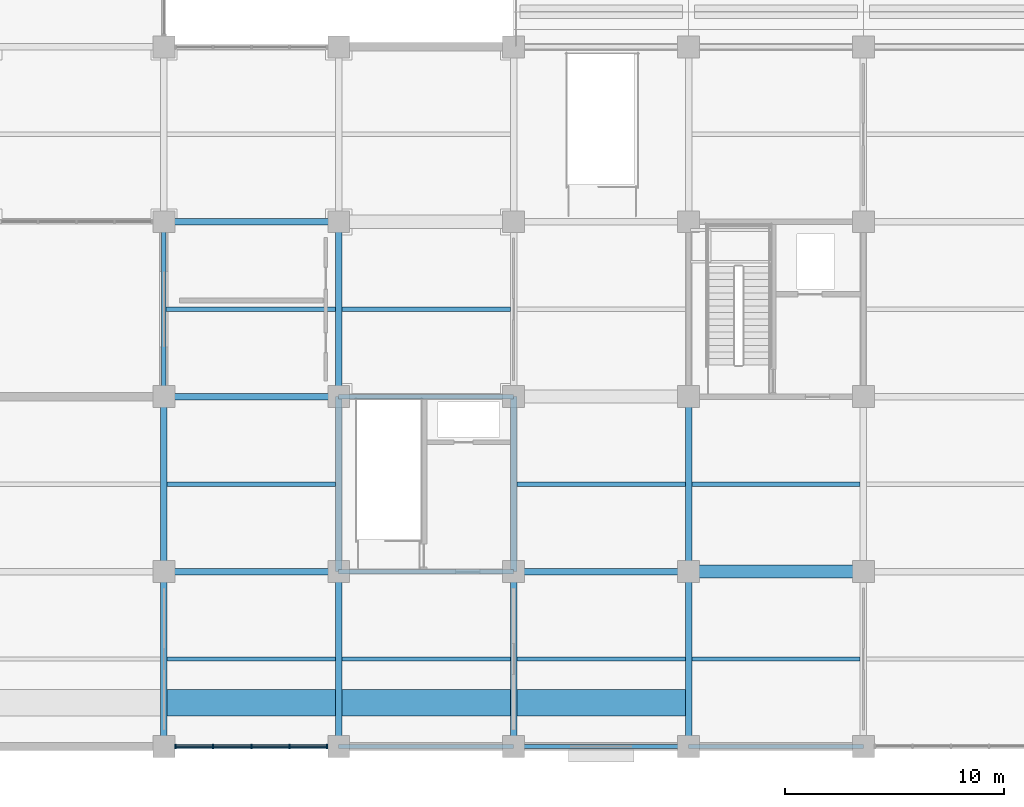
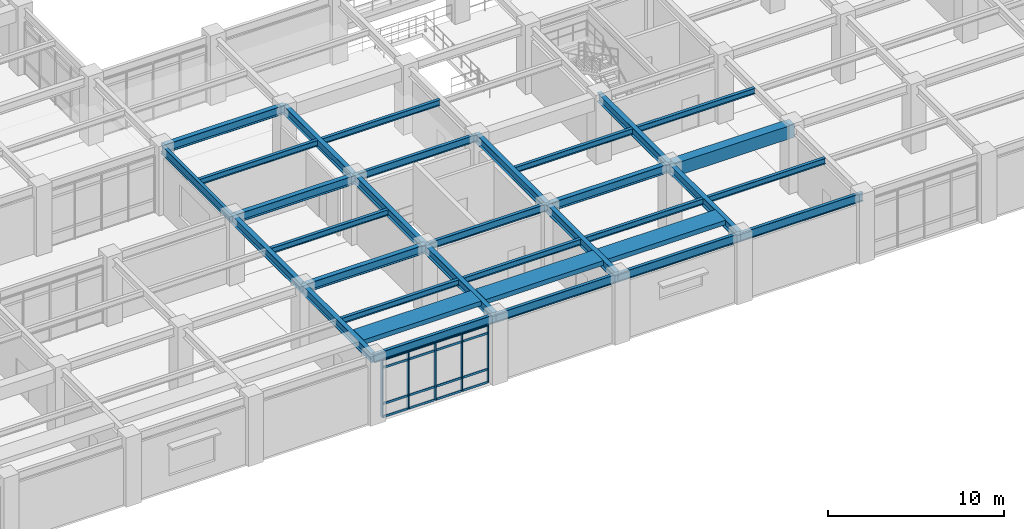
# One storey, part 13 of 117: 33 beams, 21 members, 1 element without a shape of its own.
"""IFC4 building model written with IfcOpenShell, lengths in metres."""

import ifcopenshell
import ifcopenshell.guid

model = None  # the IFC model being written
_history = None  # IfcOwnerHistory: only IFC2X3 demands one
_inside = {}  # id of a spatial element -> (the spatial element, [elements in it])
_under = {}  # id of a project, library or spatial element -> (it, [spatial elements below it])
_declared = {}  # id of a project -> (the project, [libraries it declares])
_typed = {}  # id of a type object -> (the type object, [elements of that type])
_made_of = {}  # id of a material, layer set ... -> (it, [elements and type objects made of it])


def new_model(schema):
    """Start an empty IFC model of exactly this schema.

    Asked for "IFC4X3", IfcOpenShell would pick the latest addendum, in which some entities
    have other attributes; the version numbers below select the first issue.
    IFC2X3 requires an IfcOwnerHistory on every rooted entity: one is made here for all.
    """
    global model, _history
    if schema == "IFC4X3":
        model = ifcopenshell.file(schema_version=(4, 3, 0, 0))
    else:
        model = ifcopenshell.file(schema=schema)
    _inside.clear()
    _under.clear()
    _declared.clear()
    _typed.clear()
    _made_of.clear()
    _history = None
    if model.schema == "IFC2X3":
        org = make("IfcOrganization", Name="unknown")
        user = make(
            "IfcPersonAndOrganization",
            ThePerson=make("IfcPerson", FamilyName="unknown"),
            TheOrganization=org,
        )
        app = make(
            "IfcApplication",
            ApplicationDeveloper=org,
            Version="unknown",
            ApplicationFullName="unknown",
            ApplicationIdentifier="unknown",
        )
        _history = make(
            "IfcOwnerHistory",
            OwningUser=user,
            OwningApplication=app,
            ChangeAction="ADDED",
            CreationDate=0,
        )
    return model


def make(cls, **values):
    """One entity of the class cls with the attributes given. An attribute that is None is left unset."""
    return model.create_entity(
        cls, **{name: value for name, value in values.items() if value is not None}
    )


def rooted(cls, **values):
    """An entity with a GlobalId (a new one), such as an element, a storey or a relation."""
    return make(cls, GlobalId=ifcopenshell.guid.new(), OwnerHistory=_history, **values)


def si_unit(unit_type, name, prefix=None):
    """IfcSIUnit, for example si_unit("LENGTHUNIT", "METRE", prefix="MILLI")."""
    return make("IfcSIUnit", UnitType=unit_type, Prefix=prefix, Name=name)


def assignment(units):
    """IfcUnitAssignment: the units of a project."""
    return None if units is None else make("IfcUnitAssignment", Units=units)


def point(xyz):
    """IfcCartesianPoint."""
    return None if xyz is None else make("IfcCartesianPoint", Coordinates=xyz)


def direction(xyz):
    """IfcDirection."""
    return None if xyz is None else make("IfcDirection", DirectionRatios=xyz)


def frame(location, z_axis=None, x_axis=None):
    """IfcAxis2Placement3D, a coordinate frame: its origin and axes. An axis left out is left unset."""
    return make(
        "IfcAxis2Placement3D",
        Location=point(location),
        Axis=direction(z_axis),
        RefDirection=direction(x_axis),
    )


def frame_2d(location, x_axis=None):
    """IfcAxis2Placement2D, a coordinate frame in the plane: its origin and x axis."""
    return make(
        "IfcAxis2Placement2D", Location=point(location), RefDirection=direction(x_axis)
    )


def origin():
    """The frame at (0, 0, 0) with its axes left unset."""
    return frame((0.0, 0.0, 0.0))


def origin_2d():
    """The frame at (0, 0) in the plane with its x axis left unset."""
    return frame_2d((0.0, 0.0))


def place(relative_to, where):
    """IfcLocalPlacement: puts the frame where relative to a parent placement (None: the world)."""
    return make(
        "IfcLocalPlacement", PlacementRelTo=relative_to, RelativePlacement=where
    )


def context(
    kind, dimensions, precision=None, world=None, true_north=None, identifier=None
):
    """IfcGeometricRepresentationContext, for example the 3D "Model" context."""
    return make(
        "IfcGeometricRepresentationContext",
        ContextIdentifier=identifier,
        ContextType=kind,
        CoordinateSpaceDimension=dimensions,
        Precision=precision,
        WorldCoordinateSystem=world,
        TrueNorth=true_north,
    )


def subcontext(parent, identifier, kind, view, scale=None):
    """IfcGeometricRepresentationSubContext, for example "Body" below "Model"."""
    return make(
        "IfcGeometricRepresentationSubContext",
        ContextIdentifier=identifier,
        ContextType=kind,
        ParentContext=parent,
        TargetScale=scale,
        TargetView=view,
    )


def project(units=None, contexts=None):
    """IfcProject with its units and contexts."""
    return rooted(
        "IfcProject",
        Name="project",
        RepresentationContexts=contexts,
        UnitsInContext=assignment(units),
    )


def spatial(cls, under=None, at=None, **own):
    """A site, building, storey or space (cls), placed at a placement, below another one or the project."""
    s = rooted(cls, ObjectPlacement=at, **own)
    if under is not None:
        _under.setdefault(under.id(), (under, []))[1].append(s)
    return s


def profile(cls, at=None, kind="AREA", **sizes):
    """A parametric profile (cls). Its sizes go by their IFC names, for example OverallWidth=200.0."""
    return make(cls, ProfileType=kind, Position=at, **sizes)


def rectangle(**sizes):
    """IfcRectangleProfileDef."""
    return profile("IfcRectangleProfileDef", **sizes)


def i_section(**sizes):
    """IfcIShapeProfileDef."""
    return profile("IfcIShapeProfileDef", **sizes)


def extrude(swept, where, along, depth):
    """IfcExtrudedAreaSolid: the profile swept, set in the frame where, extruded along a direction by depth."""
    return make(
        "IfcExtrudedAreaSolid",
        SweptArea=swept,
        Position=where,
        ExtrudedDirection=direction(along),
        Depth=depth,
    )


def shape(context_of_items, identifier, shape_type, items):
    """IfcShapeRepresentation: the items that make up one representation, for example the "Body"."""
    return make(
        "IfcShapeRepresentation",
        ContextOfItems=context_of_items,
        RepresentationIdentifier=identifier,
        RepresentationType=shape_type,
        Items=items,
    )


def material(Name=None, Category=None):
    """IfcMaterial."""
    return make("IfcMaterial", Name=Name, Category=Category)


def layer(
    of_material, thickness, ventilated=None, Name=None, Category=None, Priority=None
):
    """IfcMaterialLayer: one layer of a wall or slab, of a material (None: an air gap)."""
    return make(
        "IfcMaterialLayer",
        Material=of_material,
        LayerThickness=thickness,
        IsVentilated=ventilated,
        Name=Name,
        Category=Category,
        Priority=Priority,
    )


def layer_set(layers, Name=None):
    """IfcMaterialLayerSet."""
    return make("IfcMaterialLayerSet", MaterialLayers=layers, LayerSetName=Name)


def material_profile(
    of_material, cross_section, Name=None, Category=None, Priority=None
):
    """IfcMaterialProfile: a cross section and its material."""
    return make(
        "IfcMaterialProfile",
        Name=Name,
        Material=of_material,
        Profile=cross_section,
        Priority=Priority,
        Category=Category,
    )


def profile_set(profiles, Name=None, composite=None):
    """IfcMaterialProfileSet."""
    return make(
        "IfcMaterialProfileSet",
        Name=Name,
        MaterialProfiles=profiles,
        CompositeProfile=composite,
    )


def made_of(thing, what):
    """Note that an element or type object is made of a material, layer set ...; save() writes the relation."""
    if what is not None:
        _made_of.setdefault(what.id(), (what, []))[1].append(thing)
    return thing


def type_object(cls, material=None, **own):
    """A type object (cls), such as IfcWallType, which elements share."""
    return made_of(rooted(cls, **own), material)


def element(
    cls,
    number,
    at=None,
    inside=None,
    cuts=None,
    type_object=None,
    material=None,
    context=None,
    identifier="Body",
    shape_type=None,
    held_by="IfcProductDefinitionShape",
    body=None,
    shapes=None,
    **own,
):
    """One element of the class cls, such as IfcWall. Its Tag is "e" and its number.

    at: its placement. inside: the storey or other place that contains it. cuts: it is an
    opening in that element (IfcRelVoidsElement). A single representation is given by context,
    identifier, shape_type and body (its items); several are given by shapes. held_by: the class
    of the entity that holds the representations. save() writes the other relations.
    """
    e = rooted(cls, Tag="e%d" % number, ObjectPlacement=at, **own)
    if body is not None:
        shapes = [shape(context, identifier, shape_type, body)]
    if shapes is not None:
        e.Representation = make(held_by, Representations=shapes)
    if inside is not None:
        _inside.setdefault(inside.id(), (inside, []))[1].append(e)
    if cuts is not None:
        rooted(
            "IfcRelVoidsElement", RelatingBuildingElement=cuts, RelatedOpeningElement=e
        )
    if type_object is not None:
        _typed.setdefault(type_object.id(), (type_object, []))[1].append(e)
    return made_of(e, material)


def aggregate(whole, parts):
    """IfcRelAggregates: a whole, such as a stair, and the parts it consists of."""
    return rooted("IfcRelAggregates", RelatingObject=whole, RelatedObjects=parts)


def save(model, path):
    """Write the relations noted so far, then the file.

    IfcRelAggregates (storeys below a building ...), IfcRelContainedInSpatialStructure (elements
    in a storey), IfcRelDefinesByType, IfcRelAssociatesMaterial and IfcRelDeclares: one each for
    every whole, place, type object, material and project.
    """
    for whole, parts in _under.values():
        aggregate(whole, parts)
    for where, things in _inside.values():
        rooted(
            "IfcRelContainedInSpatialStructure",
            RelatedElements=things,
            RelatingStructure=where,
        )
    for kind, things in _typed.values():
        rooted("IfcRelDefinesByType", RelatedObjects=things, RelatingType=kind)
    for what, things in _made_of.values():
        rooted("IfcRelAssociatesMaterial", RelatedObjects=things, RelatingMaterial=what)
    for by, libraries in _declared.values():
        rooted("IfcRelDeclares", RelatingContext=by, RelatedDefinitions=libraries)
    model.write(path)


model = new_model("IFC4")

# Units and contexts
model_context = context("Model", 3, precision=1e-05, world=origin(), true_north=direction((0.0, 1.0)))
body_context = subcontext(model_context, "Body", "Model", "MODEL_VIEW")
ifc_project = project(units=[si_unit("LENGTHUNIT", "METRE"), si_unit("AREAUNIT", "SQUARE_METRE"), si_unit("VOLUMEUNIT", "CUBIC_METRE"), si_unit("PLANEANGLEUNIT", "RADIAN"), si_unit("MASSUNIT", "GRAM", prefix="KILO")], contexts=[model_context])

# Site, building, storey
site_placement = place(None, origin())
site = spatial("IfcSite", under=ifc_project, at=site_placement, CompositionType="ELEMENT")
building_placement = place(site_placement, origin())
building = spatial("IfcBuilding", under=site, at=building_placement, Name="Haebicheon Civic Stadium", CompositionType="ELEMENT")
storey_placement = place(building_placement, frame((0.0, 0.0, 4.800048828125)))
storey = spatial("IfcBuildingStorey", under=building, at=storey_placement, Name="L02", CompositionType="ELEMENT", Elevation=4.800048828125)

# Beams
ifc_material_1 = material(Name="Precast concrete C40/50", Category="concrete")
ifc_material_profile_1 = material_profile(ifc_material_1, rectangle(XDim=1.199951171875, YDim=0.320068359375, at=origin_2d()), Name="PC-HB-1200x320")
ifc_profile_set_1 = profile_set([ifc_material_profile_1], Name="Precast concrete C40/50")
beam_type_1 = type_object("IfcBeamType", Name="BM-HB-1200x320", PredefinedType="HOLLOWCORE", material=ifc_profile_set_1)
for number, where, z_axis, x_axis, name in (
    (1, (64.14990234375, 2.0, 4.449951171875), (1.0, 0.0, 0.0), (0.0, 1.0, 0.0), "Precast hollowcore rib 4"),
    (2, (72.14990234375, 2.0, 4.449951171875), (1.0, 0.0, 0.0), (0.0, 1.0, 0.0), "Precast hollowcore rib 5"),
    (3, (80.14990234375, 2.0, 4.449951171875), (1.0, 0.0, 0.0), (0.0, 1.0, 0.0), "Precast hollowcore rib 6"),
):
    element("IfcBeam", number, at=place(storey_placement, frame(where, z_axis=z_axis, x_axis=x_axis)), inside=storey, type_object=beam_type_1, material=ifc_profile_set_1, Name=name, PredefinedType="HOLLOWCORE", context=body_context, shape_type="SweptSolid", body=[
        extrude(rectangle(XDim=1.199951171875, YDim=0.320068359375, at=origin_2d()), origin(), (0.0, 0.0, 1.0), 7.7001953125),
    ])
ifc_material_2 = material(Name="Concrete C40/50", Category="concrete")
ifc_material_profile_2 = material_profile(ifc_material_2, rectangle(XDim=0.60009765625, YDim=0.89990234375, at=origin_2d()), Name="RC-BM-600x900")
ifc_profile_set_2 = profile_set([ifc_material_profile_2], Name="Concrete C40/50")
beam_type_2 = type_object("IfcBeamType", Name="BM-RC-600x900", PredefinedType="BEAM", material=ifc_profile_set_2)
beam_1_placement = place(storey_placement, frame((88.0, 8.0, 4.1298828125), z_axis=(1.0, 0.0, 0.0), x_axis=(0.0, 1.0, 0.0)))
element("IfcBeam", 4, at=beam_1_placement, inside=storey, type_object=beam_type_2, material=ifc_profile_set_2, Name="L02 beam B/12-13", PredefinedType="BEAM", context=body_context, shape_type="SweptSolid", body=[
    extrude(rectangle(XDim=0.60009765625, YDim=0.89990234375, at=origin_2d()), origin(), (0.0, 0.0, 1.0), 8.0),
])
ifc_material_3 = material(Name="Steel SM355 (S355)", Category="steel")
ifc_material_profile_3 = material_profile(ifc_material_3, i_section(OverallWidth=0.199951171875, OverallDepth=0.5, WebThickness=0.010009765625, FlangeThickness=0.01611328125, at=origin_2d()), Name="H-500x200x10x16")
ifc_profile_set_3 = profile_set([ifc_material_profile_3], Name="Steel SM355 (S355)")
beam_type_3 = type_object("IfcBeamType", Name="BM-ST-H500", PredefinedType="BEAM", material=ifc_profile_set_3)
for number, where, z_axis, x_axis, name in (
    (5, (72.0, 8.0, 4.329833984375), (1.0, 0.0, 0.0), (0.0, 1.0, 0.0), "L02 beam B/10-11"),
    (6, (72.0, 16.0, 4.27001953125), (1.0, 0.0, 0.0), (0.0, 1.0, 0.0), "L02 beam C/10-11"),
):
    element("IfcBeam", number, at=place(storey_placement, frame(where, z_axis=z_axis, x_axis=x_axis)), inside=storey, type_object=beam_type_3, material=ifc_profile_set_3, Name=name, PredefinedType="BEAM", context=body_context, shape_type="SweptSolid", body=[
        extrude(i_section(OverallWidth=0.199951171875, OverallDepth=0.5, WebThickness=0.010009765625, FlangeThickness=0.01611328125, at=origin_2d()), origin(), (0.0, 0.0, 1.0), 8.0),
    ])
ifc_material_4 = material(Name="Steel SM355 (S355)", Category="steel")
ifc_material_profile_4 = material_profile(ifc_material_4, i_section(OverallWidth=0.300048828125, OverallDepth=0.60009765625, WebThickness=0.011962890625, FlangeThickness=0.02001953125, at=origin_2d()), Name="H-600x300x12x20")
ifc_profile_set_4 = profile_set([ifc_material_profile_4], Name="Steel SM355 (S355)")
beam_type_4 = type_object("IfcBeamType", Name="BM-ST-H600A", PredefinedType="BEAM", material=ifc_profile_set_4)
for number, where, z_axis, x_axis, name in (
    (7, (64.0, 0.0, 4.280029296875), (0.0, 1.0, 0.0), (-1.0, 0.0, 0.0), "L02 girder 9/A-B"),
    (8, (64.0, 8.0, 4.280029296875), (0.0, 1.0, 0.0), (-1.0, 0.0, 0.0), "L02 girder 9/B-C"),
    (9, (72.0, 0.0, 4.280029296875), (0.0, 1.0, 0.0), (-1.0, 0.0, 0.0), "L02 girder 10/A-B"),
    (10, (72.0, 8.0, 4.280029296875), (0.0, 1.0, 0.0), (-1.0, 0.0, 0.0), "L02 girder 10/B-C"),
    (11, (72.0, 16.0, 4.219970703125), (0.0, 1.0, 0.0), (-1.0, 0.0, 0.0), "L02 girder 10/C-D"),
    (12, (80.0, 0.0, 4.280029296875), (0.0, 1.0, 0.0), (-1.0, 0.0, 0.0), "L02 girder 11/A-B"),
    (13, (80.0, 8.0, 4.280029296875), (0.0, 1.0, 0.0), (-1.0, 0.0, 0.0), "L02 girder 11/B-C"),
    (14, (88.0, 0.0, 4.280029296875), (0.0, 1.0, 0.0), (-1.0, 0.0, 0.0), "L02 girder 12/A-B"),
    (15, (88.0, 8.0, 4.280029296875), (0.0, 1.0, 0.0), (-1.0, 0.0, 0.0), "L02 girder 12/B-C"),
    (16, (64.0, 8.0, 4.280029296875), (1.0, 0.0, 0.0), (0.0, 1.0, 0.0), "L02 beam B/9-10"),
    (17, (64.0, 16.0, 4.219970703125), (1.0, 0.0, 0.0), (0.0, 1.0, 0.0), "L02 beam C/9-10"),
    (18, (64.0, 24.0, 4.219970703125), (1.0, 0.0, 0.0), (0.0, 1.0, 0.0), "L02 beam D/9-10"),
    (19, (80.0, 8.0, 4.280029296875), (1.0, 0.0, 0.0), (0.0, 1.0, 0.0), "L02 beam B/11-12"),
):
    element("IfcBeam", number, at=place(storey_placement, frame(where, z_axis=z_axis, x_axis=x_axis)), inside=storey, type_object=beam_type_4, material=ifc_profile_set_4, Name=name, PredefinedType="BEAM", context=body_context, shape_type="SweptSolid", body=[
        extrude(i_section(OverallWidth=0.300048828125, OverallDepth=0.60009765625, WebThickness=0.011962890625, FlangeThickness=0.02001953125, at=origin_2d()), origin(), (0.0, 0.0, 1.0), 8.0),
    ])

# Curtain wall, members
ifc_material_5 = material(Name="Anodised aluminium and laminated glass", Category="aluminium")
ifc_layer = layer(ifc_material_5, 0.179931640625, Name="Anodised aluminium and laminated glass")
ifc_layer_set = layer_set([ifc_layer], Name="Anodised aluminium and laminated glass")
curtain_wall_type = type_object("IfcCurtainWallType", Name="CW-7000x3950", PredefinedType="NOTDEFINED", material=ifc_layer_set)
curtain_wall_placement = place(storey_placement, origin())
curtain_wall = element("IfcCurtainWall", 20, at=curtain_wall_placement, inside=storey, type_object=curtain_wall_type, material=ifc_layer_set, Name="L02 unitised curtain wall 044", PredefinedType="NOTDEFINED")
ifc_material_6 = material(Name="Anodised aluminium 6063-T6", Category="aluminium")
ifc_material_profile_5 = material_profile(ifc_material_6, rectangle(XDim=0.070068359375, YDim=0.199951171875, at=origin_2d()), Name="ALU-MULL-70x200")
ifc_profile_set_5 = profile_set([ifc_material_profile_5], Name="Anodised aluminium 6063-T6")
member_type_1 = type_object("IfcMemberType", Name="CWM-200x70", PredefinedType="MULLION", material=ifc_profile_set_5)
member_1_placement = place(storey_placement, frame((64.534912109375, 0.0, 0.0), z_axis=(0.0, 0.0, 1.0), x_axis=(1.0, 0.0, 0.0)))
member_1 = element("IfcMember", 21, at=member_1_placement, type_object=member_type_1, material=ifc_profile_set_5, Name="CW-L02-044 vertical mullion 1", PredefinedType="MULLION", context=body_context, shape_type="SweptSolid", body=[
    extrude(rectangle(XDim=0.070068359375, YDim=0.199951171875, at=origin_2d()), origin(), (0.0, 0.0, 1.0), 3.949951171875),
])
member_2_placement = place(storey_placement, frame((66.25, 0.0, 0.0), z_axis=(0.0, 0.0, 1.0), x_axis=(1.0, 0.0, 0.0)))
member_2 = element("IfcMember", 22, at=member_2_placement, type_object=member_type_1, material=ifc_profile_set_5, Name="CW-L02-044 vertical mullion 2", PredefinedType="MULLION", context=body_context, shape_type="SweptSolid", body=[
    extrude(rectangle(XDim=0.070068359375, YDim=0.199951171875, at=origin_2d()), origin(), (0.0, 0.0, 1.0), 3.949951171875),
])
member_3_placement = place(storey_placement, frame((68.0, 0.0, 0.0), z_axis=(0.0, 0.0, 1.0), x_axis=(1.0, 0.0, 0.0)))
member_3 = element("IfcMember", 23, at=member_3_placement, type_object=member_type_1, material=ifc_profile_set_5, Name="CW-L02-044 vertical mullion 3", PredefinedType="MULLION", context=body_context, shape_type="SweptSolid", body=[
    extrude(rectangle(XDim=0.070068359375, YDim=0.199951171875, at=origin_2d()), origin(), (0.0, 0.0, 1.0), 3.949951171875),
])
member_4_placement = place(storey_placement, frame((69.75, 0.0, 0.0), z_axis=(0.0, 0.0, 1.0), x_axis=(1.0, 0.0, 0.0)))
member_4 = element("IfcMember", 24, at=member_4_placement, type_object=member_type_1, material=ifc_profile_set_5, Name="CW-L02-044 vertical mullion 4", PredefinedType="MULLION", context=body_context, shape_type="SweptSolid", body=[
    extrude(rectangle(XDim=0.070068359375, YDim=0.199951171875, at=origin_2d()), origin(), (0.0, 0.0, 1.0), 3.949951171875),
])
member_5_placement = place(storey_placement, frame((71.465087890625, 0.0, 0.0), z_axis=(0.0, 0.0, 1.0), x_axis=(1.0, 0.0, 0.0)))
member_5 = element("IfcMember", 25, at=member_5_placement, type_object=member_type_1, material=ifc_profile_set_5, Name="CW-L02-044 vertical mullion 5", PredefinedType="MULLION", context=body_context, shape_type="SweptSolid", body=[
    extrude(rectangle(XDim=0.070068359375, YDim=0.199951171875, at=origin_2d()), origin(), (0.0, 0.0, 1.0), 3.949951171875),
])
ifc_material_7 = material(Name="Anodised aluminium 6063-T6", Category="aluminium")
ifc_material_profile_6 = material_profile(ifc_material_7, rectangle(XDim=0.070068359375, YDim=0.14990234375, at=origin_2d()), Name="ALU-TRAN-70x150")
ifc_profile_set_6 = profile_set([ifc_material_profile_6], Name="Anodised aluminium 6063-T6")
member_type_2 = type_object("IfcMemberType", Name="CWT-150x70", PredefinedType="NOTDEFINED", material=ifc_profile_set_6)
member_6_placement = place(storey_placement, frame((64.570068359375, 0.0, 0.0), z_axis=(1.0, 0.0, 0.0), x_axis=(0.0, 1.0, 0.0)))
member_6 = element("IfcMember", 26, at=member_6_placement, type_object=member_type_2, material=ifc_profile_set_6, Name="CW-L02-044 horizontal transom 1.1", ObjectType="TRANSOM", PredefinedType="USERDEFINED", context=body_context, shape_type="SweptSolid", body=[
    extrude(rectangle(XDim=0.070068359375, YDim=0.14990234375, at=origin_2d()), origin(), (0.0, 0.0, 1.0), 1.64501953125),
])
member_7_placement = place(storey_placement, frame((64.570068359375, 0.0, 0.89990234375), z_axis=(1.0, 0.0, 0.0), x_axis=(0.0, 1.0, 0.0)))
member_7 = element("IfcMember", 27, at=member_7_placement, type_object=member_type_2, material=ifc_profile_set_6, Name="CW-L02-044 horizontal transom 1.2", ObjectType="TRANSOM", PredefinedType="USERDEFINED", context=body_context, shape_type="SweptSolid", body=[
    extrude(rectangle(XDim=0.070068359375, YDim=0.14990234375, at=origin_2d()), origin(), (0.0, 0.0, 1.0), 1.64501953125),
])
member_8_placement = place(storey_placement, frame((64.570068359375, 0.0, 3.39990234375), z_axis=(1.0, 0.0, 0.0), x_axis=(0.0, 1.0, 0.0)))
member_8 = element("IfcMember", 28, at=member_8_placement, type_object=member_type_2, material=ifc_profile_set_6, Name="CW-L02-044 horizontal transom 1.3", ObjectType="TRANSOM", PredefinedType="USERDEFINED", context=body_context, shape_type="SweptSolid", body=[
    extrude(rectangle(XDim=0.070068359375, YDim=0.14990234375, at=origin_2d()), origin(), (0.0, 0.0, 1.0), 1.64501953125),
])
member_9_placement = place(storey_placement, frame((64.570068359375, 0.0, 3.949951171875), z_axis=(1.0, 0.0, 0.0), x_axis=(0.0, 1.0, 0.0)))
member_9 = element("IfcMember", 29, at=member_9_placement, type_object=member_type_2, material=ifc_profile_set_6, Name="CW-L02-044 horizontal transom 1.4", ObjectType="TRANSOM", PredefinedType="USERDEFINED", context=body_context, shape_type="SweptSolid", body=[
    extrude(rectangle(XDim=0.070068359375, YDim=0.14990234375, at=origin_2d()), origin(), (0.0, 0.0, 1.0), 1.64501953125),
])
member_10_placement = place(storey_placement, frame((66.284912109375, 0.0, 0.0), z_axis=(1.0, 0.0, 0.0), x_axis=(0.0, 1.0, 0.0)))
member_10 = element("IfcMember", 30, at=member_10_placement, type_object=member_type_2, material=ifc_profile_set_6, Name="CW-L02-044 horizontal transom 2.1", ObjectType="TRANSOM", PredefinedType="USERDEFINED", context=body_context, shape_type="SweptSolid", body=[
    extrude(rectangle(XDim=0.070068359375, YDim=0.14990234375, at=origin_2d()), origin(), (0.0, 0.0, 1.0), 1.68017578125),
])
member_11_placement = place(storey_placement, frame((66.284912109375, 0.0, 0.89990234375), z_axis=(1.0, 0.0, 0.0), x_axis=(0.0, 1.0, 0.0)))
member_11 = element("IfcMember", 31, at=member_11_placement, type_object=member_type_2, material=ifc_profile_set_6, Name="CW-L02-044 horizontal transom 2.2", ObjectType="TRANSOM", PredefinedType="USERDEFINED", context=body_context, shape_type="SweptSolid", body=[
    extrude(rectangle(XDim=0.070068359375, YDim=0.14990234375, at=origin_2d()), origin(), (0.0, 0.0, 1.0), 1.68017578125),
])
member_12_placement = place(storey_placement, frame((66.284912109375, 0.0, 3.39990234375), z_axis=(1.0, 0.0, 0.0), x_axis=(0.0, 1.0, 0.0)))
member_12 = element("IfcMember", 32, at=member_12_placement, type_object=member_type_2, material=ifc_profile_set_6, Name="CW-L02-044 horizontal transom 2.3", ObjectType="TRANSOM", PredefinedType="USERDEFINED", context=body_context, shape_type="SweptSolid", body=[
    extrude(rectangle(XDim=0.070068359375, YDim=0.14990234375, at=origin_2d()), origin(), (0.0, 0.0, 1.0), 1.68017578125),
])
member_13_placement = place(storey_placement, frame((66.284912109375, 0.0, 3.949951171875), z_axis=(1.0, 0.0, 0.0), x_axis=(0.0, 1.0, 0.0)))
member_13 = element("IfcMember", 33, at=member_13_placement, type_object=member_type_2, material=ifc_profile_set_6, Name="CW-L02-044 horizontal transom 2.4", ObjectType="TRANSOM", PredefinedType="USERDEFINED", context=body_context, shape_type="SweptSolid", body=[
    extrude(rectangle(XDim=0.070068359375, YDim=0.14990234375, at=origin_2d()), origin(), (0.0, 0.0, 1.0), 1.68017578125),
])
member_14_placement = place(storey_placement, frame((68.034912109375, 0.0, 0.0), z_axis=(1.0, 0.0, 0.0), x_axis=(0.0, 1.0, 0.0)))
member_14 = element("IfcMember", 34, at=member_14_placement, type_object=member_type_2, material=ifc_profile_set_6, Name="CW-L02-044 horizontal transom 3.1", ObjectType="TRANSOM", PredefinedType="USERDEFINED", context=body_context, shape_type="SweptSolid", body=[
    extrude(rectangle(XDim=0.070068359375, YDim=0.14990234375, at=origin_2d()), origin(), (0.0, 0.0, 1.0), 1.68017578125),
])
member_15_placement = place(storey_placement, frame((68.034912109375, 0.0, 0.89990234375), z_axis=(1.0, 0.0, 0.0), x_axis=(0.0, 1.0, 0.0)))
member_15 = element("IfcMember", 35, at=member_15_placement, type_object=member_type_2, material=ifc_profile_set_6, Name="CW-L02-044 horizontal transom 3.2", ObjectType="TRANSOM", PredefinedType="USERDEFINED", context=body_context, shape_type="SweptSolid", body=[
    extrude(rectangle(XDim=0.070068359375, YDim=0.14990234375, at=origin_2d()), origin(), (0.0, 0.0, 1.0), 1.68017578125),
])
member_16_placement = place(storey_placement, frame((68.034912109375, 0.0, 3.39990234375), z_axis=(1.0, 0.0, 0.0), x_axis=(0.0, 1.0, 0.0)))
member_16 = element("IfcMember", 36, at=member_16_placement, type_object=member_type_2, material=ifc_profile_set_6, Name="CW-L02-044 horizontal transom 3.3", ObjectType="TRANSOM", PredefinedType="USERDEFINED", context=body_context, shape_type="SweptSolid", body=[
    extrude(rectangle(XDim=0.070068359375, YDim=0.14990234375, at=origin_2d()), origin(), (0.0, 0.0, 1.0), 1.68017578125),
])
member_17_placement = place(storey_placement, frame((68.034912109375, 0.0, 3.949951171875), z_axis=(1.0, 0.0, 0.0), x_axis=(0.0, 1.0, 0.0)))
member_17 = element("IfcMember", 37, at=member_17_placement, type_object=member_type_2, material=ifc_profile_set_6, Name="CW-L02-044 horizontal transom 3.4", ObjectType="TRANSOM", PredefinedType="USERDEFINED", context=body_context, shape_type="SweptSolid", body=[
    extrude(rectangle(XDim=0.070068359375, YDim=0.14990234375, at=origin_2d()), origin(), (0.0, 0.0, 1.0), 1.68017578125),
])
member_18_placement = place(storey_placement, frame((69.784912109375, 0.0, 0.0), z_axis=(1.0, 0.0, 0.0), x_axis=(0.0, 1.0, 0.0)))
member_18 = element("IfcMember", 38, at=member_18_placement, type_object=member_type_2, material=ifc_profile_set_6, Name="CW-L02-044 horizontal transom 4.1", ObjectType="TRANSOM", PredefinedType="USERDEFINED", context=body_context, shape_type="SweptSolid", body=[
    extrude(rectangle(XDim=0.070068359375, YDim=0.14990234375, at=origin_2d()), origin(), (0.0, 0.0, 1.0), 1.64501953125),
])
member_19_placement = place(storey_placement, frame((69.784912109375, 0.0, 0.89990234375), z_axis=(1.0, 0.0, 0.0), x_axis=(0.0, 1.0, 0.0)))
member_19 = element("IfcMember", 39, at=member_19_placement, type_object=member_type_2, material=ifc_profile_set_6, Name="CW-L02-044 horizontal transom 4.2", ObjectType="TRANSOM", PredefinedType="USERDEFINED", context=body_context, shape_type="SweptSolid", body=[
    extrude(rectangle(XDim=0.070068359375, YDim=0.14990234375, at=origin_2d()), origin(), (0.0, 0.0, 1.0), 1.64501953125),
])
member_20_placement = place(storey_placement, frame((69.784912109375, 0.0, 3.39990234375), z_axis=(1.0, 0.0, 0.0), x_axis=(0.0, 1.0, 0.0)))
member_20 = element("IfcMember", 40, at=member_20_placement, type_object=member_type_2, material=ifc_profile_set_6, Name="CW-L02-044 horizontal transom 4.3", ObjectType="TRANSOM", PredefinedType="USERDEFINED", context=body_context, shape_type="SweptSolid", body=[
    extrude(rectangle(XDim=0.070068359375, YDim=0.14990234375, at=origin_2d()), origin(), (0.0, 0.0, 1.0), 1.64501953125),
])
member_21_placement = place(storey_placement, frame((69.784912109375, 0.0, 3.949951171875), z_axis=(1.0, 0.0, 0.0), x_axis=(0.0, 1.0, 0.0)))
member_21 = element("IfcMember", 41, at=member_21_placement, type_object=member_type_2, material=ifc_profile_set_6, Name="CW-L02-044 horizontal transom 4.4", ObjectType="TRANSOM", PredefinedType="USERDEFINED", context=body_context, shape_type="SweptSolid", body=[
    extrude(rectangle(XDim=0.070068359375, YDim=0.14990234375, at=origin_2d()), origin(), (0.0, 0.0, 1.0), 1.64501953125),
])
aggregate(curtain_wall, [member_1, member_2, member_3, member_4, member_5, member_6, member_7, member_8, member_9, member_10, member_11, member_12, member_13, member_14, member_15, member_16, member_17, member_18, member_19, member_20, member_21])

# Beams
ifc_material_8 = material(Name="Steel SM355 (S355)", Category="steel")
ifc_material_profile_7 = material_profile(ifc_material_8, i_section(OverallWidth=0.199951171875, OverallDepth=0.39990234375, WebThickness=0.008056640625, FlangeThickness=0.012939453125, at=origin_2d()), Name="H-400x200x8x13")
ifc_profile_set_7 = profile_set([ifc_material_profile_7], Name="Steel SM355 (S355)")
beam_type_5 = type_object("IfcBeamType", Name="JST-ST-H400", PredefinedType="JOIST", material=ifc_profile_set_7)
for number, where, z_axis, x_axis, name in (
    (42, (64.14990234375, 4.0, 4.3798828125), (1.0, 0.0, 0.0), (0.0, 1.0, 0.0), "L02 secondary joist 08-00"),
    (43, (64.14990234375, 12.0, 4.3798828125), (1.0, 0.0, 0.0), (0.0, 1.0, 0.0), "L02 secondary joist 08-01"),
):
    element("IfcBeam", number, at=place(storey_placement, frame(where, z_axis=z_axis, x_axis=x_axis)), inside=storey, type_object=beam_type_5, material=ifc_profile_set_7, Name=name, PredefinedType="JOIST", context=body_context, shape_type="SweptSolid", body=[
        extrude(i_section(OverallWidth=0.199951171875, OverallDepth=0.39990234375, WebThickness=0.008056640625, FlangeThickness=0.012939453125, at=origin_2d()), origin(), (0.0, 0.0, 1.0), 7.7001953125),
    ])
beam_2_placement = place(storey_placement, frame((64.10009765625, 20.0, 4.320068359375), z_axis=(1.0, 0.0, 0.0), x_axis=(0.0, 1.0, 0.0)))
element("IfcBeam", 44, at=beam_2_placement, inside=storey, type_object=beam_type_5, material=ifc_profile_set_7, Name="L02 secondary joist 08-02", PredefinedType="JOIST", context=body_context, shape_type="SweptSolid", body=[
    extrude(i_section(OverallWidth=0.199951171875, OverallDepth=0.39990234375, WebThickness=0.008056640625, FlangeThickness=0.012939453125, at=origin_2d()), origin(), (0.0, 0.0, 1.0), 7.75),
])
for number, where, z_axis, x_axis, name in (
    (45, (72.14990234375, 4.0, 4.3798828125), (1.0, 0.0, 0.0), (0.0, 1.0, 0.0), "L02 secondary joist 09-00"),
    (46, (72.14990234375, 20.0, 4.320068359375), (1.0, 0.0, 0.0), (0.0, 1.0, 0.0), "L02 secondary joist 09-02"),
    (47, (80.14990234375, 4.0, 4.3798828125), (1.0, 0.0, 0.0), (0.0, 1.0, 0.0), "L02 secondary joist 10-00"),
    (48, (80.14990234375, 12.0, 4.3798828125), (1.0, 0.0, 0.0), (0.0, 1.0, 0.0), "L02 secondary joist 10-01"),
    (49, (88.14990234375, 4.0, 4.3798828125), (1.0, 0.0, 0.0), (0.0, 1.0, 0.0), "L02 secondary joist 11-00"),
    (50, (88.14990234375, 12.0, 4.3798828125), (1.0, 0.0, 0.0), (0.0, 1.0, 0.0), "L02 secondary joist 11-01"),
):
    element("IfcBeam", number, at=place(storey_placement, frame(where, z_axis=z_axis, x_axis=x_axis)), inside=storey, type_object=beam_type_5, material=ifc_profile_set_7, Name=name, PredefinedType="JOIST", context=body_context, shape_type="SweptSolid", body=[
        extrude(i_section(OverallWidth=0.199951171875, OverallDepth=0.39990234375, WebThickness=0.008056640625, FlangeThickness=0.012939453125, at=origin_2d()), origin(), (0.0, 0.0, 1.0), 7.7001953125),
    ])
ifc_material_9 = material(Name="Steel SM355 (S355)", Category="steel")
ifc_material_profile_8 = material_profile(ifc_material_9, i_section(OverallWidth=0.199951171875, OverallDepth=0.60009765625, WebThickness=0.010986328125, FlangeThickness=0.01708984375, at=origin_2d()), Name="H-600x200x11x17")
ifc_profile_set_8 = profile_set([ifc_material_profile_8], Name="Steel SM355 (S355)")
beam_type_6 = type_object("IfcBeamType", Name="SPD-ST-H600B", PredefinedType="SPANDREL", material=ifc_profile_set_8)
for number, where, z_axis, x_axis, name in (
    (51, (64.0, 16.0, 4.219970703125), (0.0, 1.0, 0.0), (-1.0, 0.0, 0.0), "L02 girder 9/C-D"),
    (52, (64.0, 0.0, 4.280029296875), (1.0, 0.0, 0.0), (0.0, 1.0, 0.0), "L02 beam A/9-10"),
    (53, (72.0, 0.0, 4.280029296875), (1.0, 0.0, 0.0), (0.0, 1.0, 0.0), "L02 beam A/10-11"),
    (54, (80.0, 0.0, 4.280029296875), (1.0, 0.0, 0.0), (0.0, 1.0, 0.0), "L02 beam A/11-12"),
    (55, (88.0, 0.0, 4.280029296875), (1.0, 0.0, 0.0), (0.0, 1.0, 0.0), "L02 beam A/12-13"),
):
    element("IfcBeam", number, at=place(storey_placement, frame(where, z_axis=z_axis, x_axis=x_axis)), inside=storey, type_object=beam_type_6, material=ifc_profile_set_8, Name=name, PredefinedType="SPANDREL", context=body_context, shape_type="SweptSolid", body=[
        extrude(i_section(OverallWidth=0.199951171875, OverallDepth=0.60009765625, WebThickness=0.010986328125, FlangeThickness=0.01708984375, at=origin_2d()), origin(), (0.0, 0.0, 1.0), 8.0),
    ])

save(model, "model.ifc")
